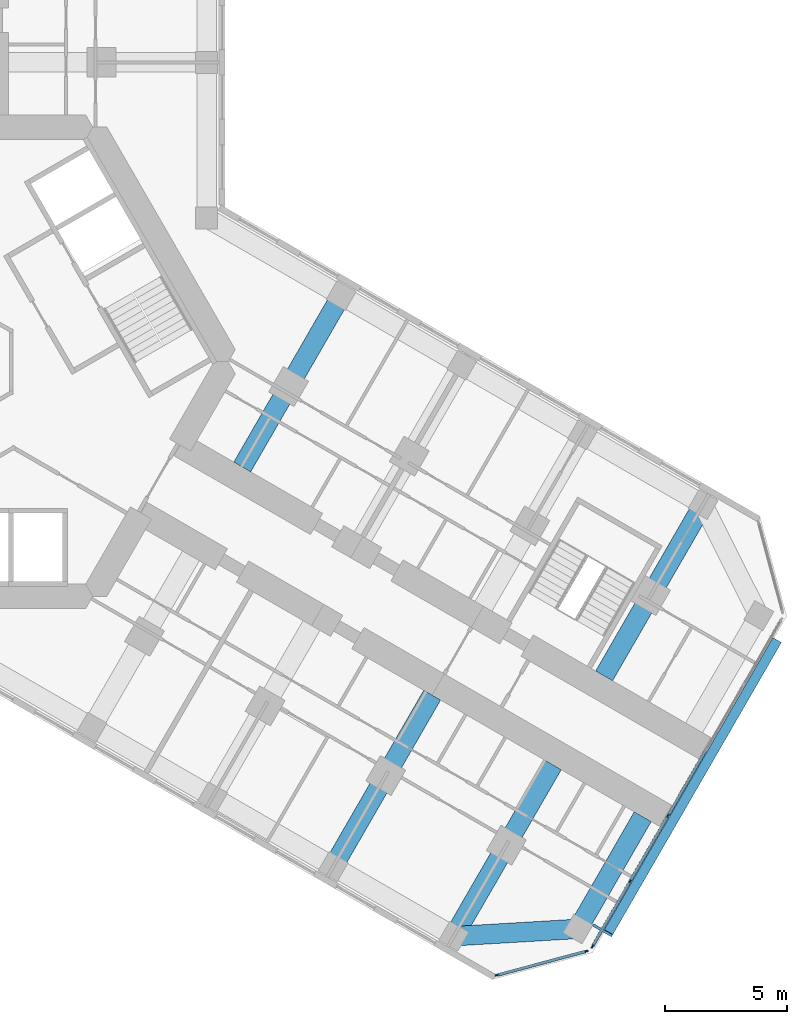
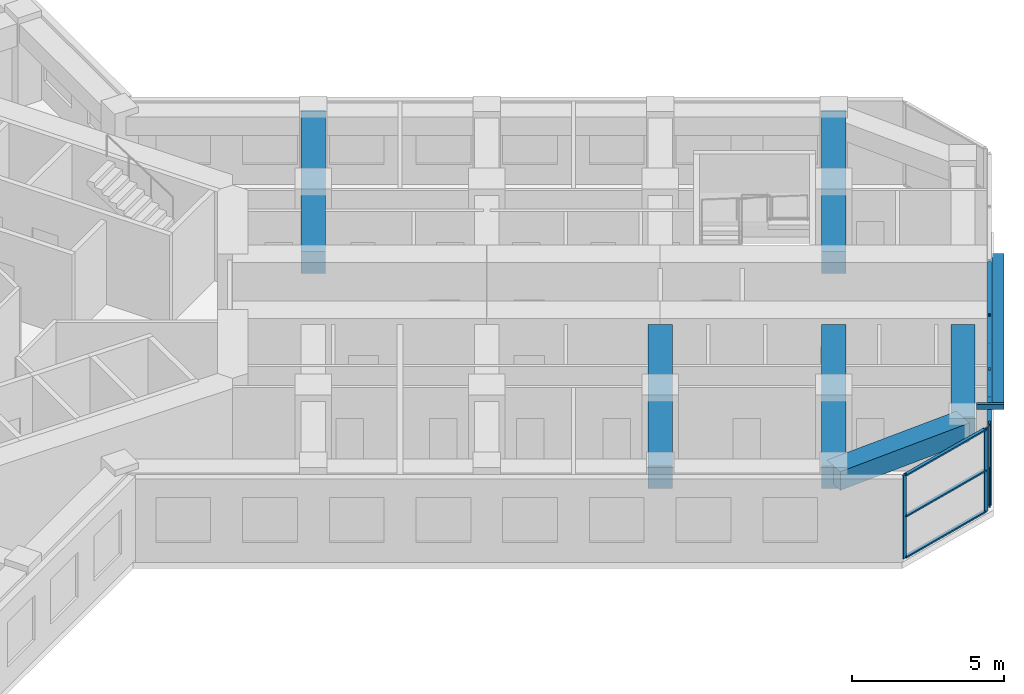
# One storey, part 5 of 21: 16 members, 6 beams, 2 elements without a shape of their own.
"""IFC4 building model written with IfcOpenShell, lengths in metres."""

from ifc_helpers import new_model, si_unit, direction, frame, origin, origin_2d, place, context, subcontext, project, spatial, rectangle, hollow_rectangle, extrude, material, material_profile, profile_set, type_object, element, aggregate, save


model = new_model("IFC4")

# Units and contexts
model_context = context("Model", 3, precision=1e-05, world=origin(), true_north=direction((0.0, 1.0)))
body_context = subcontext(model_context, "Body", "Model", "MODEL_VIEW")
ifc_project = project(units=[si_unit("LENGTHUNIT", "METRE"), si_unit("AREAUNIT", "SQUARE_METRE"), si_unit("VOLUMEUNIT", "CUBIC_METRE"), si_unit("PLANEANGLEUNIT", "RADIAN"), si_unit("MASSUNIT", "GRAM", prefix="KILO")], contexts=[model_context])

# Site, building, storey
site_placement = place(None, origin())
site = spatial("IfcSite", under=ifc_project, at=site_placement, CompositionType="ELEMENT")
building_placement = place(site_placement, origin())
building = spatial("IfcBuilding", under=site, at=building_placement, Name="Kosmar Iwan School Tower", CompositionType="ELEMENT")
storey_placement = place(building_placement, frame((0.0, 0.0, 88.0)))
storey = spatial("IfcBuildingStorey", under=building, at=storey_placement, Name="L21", CompositionType="ELEMENT", Elevation=88.0)

# Members
ifc_material_1 = material(Name="Black anodised aluminium", Category="aluminium")
ifc_material_profile_1 = material_profile(ifc_material_1, rectangle(XDim=0.10009765625, YDim=0.39990234375, at=origin_2d()), Name="FIN 100x400")
ifc_profile_set_1 = profile_set([ifc_material_profile_1], Name="Black anodised aluminium")
member_type_1 = type_object("IfcMemberType", Name="Diagonal fin 100x400", PredefinedType="USERDEFINED", material=ifc_profile_set_1)
member_1_placement = place(storey_placement, frame((33.54345703125, -11.40087890625, -0.14990234375), z_axis=(-0.483795538458, -0.837973939202, 0.252470897702), x_axis=(0.126233699175, 0.218647221293, 0.967604488318)))
element("IfcMember", 1, at=member_1_placement, inside=storey, type_object=member_type_1, Name="Diagonal fin L21-F03", ObjectType="FIN", PredefinedType="USERDEFINED", context=body_context, shape_type="SweptSolid", body=[
    extrude(rectangle(XDim=0.10009765625, YDim=0.39990234375, at=origin_2d()), origin(), (0.0, 0.0, 1.0), 14.258544921875),
])
ifc_material_2 = material(Name="Steel S355", Category="steel")
ifc_material_profile_2 = material_profile(ifc_material_2, hollow_rectangle(XDim=0.10009765625, YDim=0.199951171875, WallThickness=0.008056640625, at=origin_2d()), Name="RHS 200x100x8")
ifc_profile_set_2 = profile_set([ifc_material_profile_2], Name="Steel S355")
member_type_2 = type_object("IfcMemberType", Name="Fin bracket RHS 200x100", PredefinedType="USERDEFINED", material=ifc_profile_set_2)
member_2_placement = place(storey_placement, frame((26.01318359375, -23.0439453125, 3.47509765625), z_axis=(0.866013897511, -0.50001992892, 0.0), x_axis=(0.50001992892, 0.866013897511, 0.0)))
element("IfcMember", 2, at=member_2_placement, inside=storey, type_object=member_type_2, Name="Fin bracket L22", ObjectType="FIN BRACKET", PredefinedType="USERDEFINED", context=body_context, shape_type="SweptSolid", body=[
    extrude(hollow_rectangle(XDim=0.10009765625, YDim=0.199951171875, WallThickness=0.008056640625, at=origin_2d()), origin(), (0.0, 0.0, 1.0), 0.89990234375),
])

# Curtain wall, members
ifc_material_3 = material(Name="Dark glass in black aluminium frame", Category="aluminium")
curtain_wall_type_1 = type_object("IfcCurtainWallType", Name="Chamfer curtain wall dark glass", PredefinedType="USERDEFINED", material=ifc_material_3)
curtain_wall_1_placement = place(storey_placement, origin())
curtain_wall_1 = element("IfcCurtainWall", 3, at=curtain_wall_1_placement, inside=storey, type_object=curtain_wall_type_1, Name="Curtain wall L21-F02", ObjectType="FACETED CURTAIN WALL", PredefinedType="USERDEFINED")
ifc_material_4 = material(Name="Black anodised aluminium", Category="aluminium")
ifc_material_profile_3 = material_profile(ifc_material_4, rectangle(XDim=0.06005859375, YDim=0.159912109375, at=origin_2d()), Name="MULLION 60x160")
ifc_profile_set_3 = profile_set([ifc_material_profile_3], Name="Black anodised aluminium")
member_type_3 = type_object("IfcMemberType", Name="Mullion 60x160", PredefinedType="MULLION", material=ifc_profile_set_3)
member_3_placement = place(storey_placement, frame((22.0830078125, -25.102294921875, 0.0), z_axis=(0.0, 0.0, 1.0), x_axis=(-0.258818861462, 0.965925875495, 0.0)))
member_3 = element("IfcMember", 4, at=member_3_placement, type_object=member_type_3, Name="CW2 mullion 1", PredefinedType="MULLION", context=body_context, shape_type="SweptSolid", body=[
    extrude(rectangle(XDim=0.06005859375, YDim=0.159912109375, at=origin_2d()), origin(), (0.0, 0.0, 1.0), 3.35009765625),
])
member_4_placement = place(storey_placement, frame((25.733154296875, -24.124267578125, 0.0), z_axis=(0.0, 0.0, 1.0), x_axis=(-0.258818861462, 0.965925875495, 0.0)))
member_4 = element("IfcMember", 5, at=member_4_placement, type_object=member_type_3, Name="CW2 mullion 2", PredefinedType="MULLION", context=body_context, shape_type="SweptSolid", body=[
    extrude(rectangle(XDim=0.06005859375, YDim=0.159912109375, at=origin_2d()), origin(), (0.0, 0.0, 1.0), 3.35009765625),
])

ifc_material_5 = material(Name="Dark glass in black aluminium frame", Category="aluminium")
curtain_wall_type_2 = type_object("IfcCurtainWallType", Name="Tower curtain wall dark glass", PredefinedType="USERDEFINED", material=ifc_material_5)
curtain_wall_2_placement = place(storey_placement, origin())
curtain_wall_2 = element("IfcCurtainWall", 6, at=curtain_wall_2_placement, inside=storey, type_object=curtain_wall_type_2, Name="Curtain wall L21-F03", ObjectType="UNITISED CURTAIN WALL", PredefinedType="USERDEFINED")
member_5_placement = place(storey_placement, frame((25.9970703125, -23.921630859375, 0.0), z_axis=(0.0, 0.0, 1.0), x_axis=(-0.866025405329, 0.499999997325, 0.0)))
member_5 = element("IfcMember", 7, at=member_5_placement, type_object=member_type_3, Name="CW1 mullion 1", PredefinedType="MULLION", context=body_context, shape_type="SweptSolid", body=[
    extrude(rectangle(XDim=0.06005859375, YDim=0.159912109375, at=origin_2d()), origin(), (0.0, 0.0, 1.0), 3.35009765625),
])
member_6_placement = place(storey_placement, frame((27.53173828125, -21.263671875, 0.0), z_axis=(0.0, 0.0, 1.0), x_axis=(-0.866025405329, 0.499999997325, 0.0)))
member_6 = element("IfcMember", 8, at=member_6_placement, type_object=member_type_3, Name="CW1 mullion 2", PredefinedType="MULLION", context=body_context, shape_type="SweptSolid", body=[
    extrude(rectangle(XDim=0.06005859375, YDim=0.159912109375, at=origin_2d()), origin(), (0.0, 0.0, 1.0), 3.35009765625),
])
member_7_placement = place(storey_placement, frame((29.081298828125, -18.57958984375, 0.0), z_axis=(0.0, 0.0, 1.0), x_axis=(-0.866025405329, 0.499999997325, 0.0)))
member_7 = element("IfcMember", 9, at=member_7_placement, type_object=member_type_3, Name="CW1 mullion 3", PredefinedType="MULLION", context=body_context, shape_type="SweptSolid", body=[
    extrude(rectangle(XDim=0.06005859375, YDim=0.159912109375, at=origin_2d()), origin(), (0.0, 0.0, 1.0), 3.35009765625),
])

# Beams
ifc_material_6 = material(Name="Concrete C50/60", Category="concrete")
ifc_material_profile_4 = material_profile(ifc_material_6, rectangle(XDim=0.800048828125, YDim=0.75, at=origin_2d()), Name="RC 800x750")
ifc_profile_set_4 = profile_set([ifc_material_profile_4], Name="Concrete C50/60")
beam_type_1 = type_object("IfcBeamType", Name="RC tip beam 800x750", PredefinedType="BEAM", material=ifc_profile_set_4)
beam_1_placement = place(storey_placement, frame((20.31787109375, -23.508544921875, 2.97509765625), z_axis=(0.998260616478, 0.058955420358, 0.0), x_axis=(-0.058955420358, 0.998260616478, 0.0)))
element("IfcBeam", 10, at=beam_1_placement, inside=storey, type_object=beam_type_1, Name="Tip beam CR", PredefinedType="BEAM", context=body_context, shape_type="SweptSolid", body=[
    extrude(rectangle(XDim=0.800048828125, YDim=0.75, at=origin_2d()), origin(), (0.0, 0.0, 1.0), 5.08935546875),
])
beam_2_placement = place(storey_placement, frame((25.3984375, -23.20849609375, 2.97509765625), z_axis=(0.499993606316, 0.866029095148, 0.0), x_axis=(-0.866029095148, 0.499993606316, 0.0)))
element("IfcBeam", 11, at=beam_2_placement, inside=storey, type_object=beam_type_1, Name="Tip beam CR to corridor wall", PredefinedType="BEAM", context=body_context, shape_type="SweptSolid", body=[
    extrude(rectangle(XDim=0.800048828125, YDim=0.75, at=origin_2d()), origin(), (0.0, 0.0, 1.0), 5.2998046875),
])
ifc_material_7 = material(Name="Concrete C50/60", Category="concrete")
ifc_material_profile_5 = material_profile(ifc_material_7, rectangle(XDim=0.800048828125, YDim=0.89990234375, at=origin_2d()), Name="RC 800x900")
ifc_profile_set_5 = profile_set([ifc_material_profile_5], Name="Concrete C50/60")
beam_type_2 = type_object("IfcBeamType", Name="RC transverse beam 800x900", PredefinedType="BEAM", material=ifc_profile_set_5)
for number, where, z_axis, x_axis, name in (
    (12, (15.708740234375, 2.70849609375, 2.89990234375), (-0.499999880539, -0.866025472755, 0.0), (0.866025472755, -0.499999880539, 0.0), "Transverse beam CL1"),
    (13, (30.517822265625, -5.841552734375, 2.89990234375), (-0.499999880539, -0.866025472755, 0.0), (0.866025472755, -0.499999880539, 0.0), "Transverse beam CL4"),
    (14, (15.381591796875, -20.658447265625, 2.89990234375), (0.499977274689, 0.866038523851, 0.0), (-0.866038523851, 0.499977274689, 0.0), "Transverse beam CR3"),
    (15, (20.31787109375, -23.508544921875, 2.89990234375), (0.499999880539, 0.866025472755, 0.0), (-0.866025472755, 0.499999880539, 0.0), "Transverse beam CR4"),
):
    element("IfcBeam", number, at=place(storey_placement, frame(where, z_axis=z_axis, x_axis=x_axis)), inside=storey, type_object=beam_type_2, Name=name, PredefinedType="BEAM", context=body_context, shape_type="SweptSolid", body=[
        extrude(rectangle(XDim=0.800048828125, YDim=0.89990234375, at=origin_2d()), origin(), (0.0, 0.0, 1.0), 8.10009765625),
    ])

# Member
ifc_material_8 = material(Name="Black anodised aluminium", Category="aluminium")
ifc_material_profile_6 = material_profile(ifc_material_8, rectangle(XDim=0.1201171875, YDim=0.06005859375, at=origin_2d()), Name="TRANSOM 60x120")
ifc_profile_set_6 = profile_set([ifc_material_profile_6], Name="Black anodised aluminium")
member_type_4 = type_object("IfcMemberType", Name="Transom 60x120", PredefinedType="USERDEFINED", material=ifc_profile_set_6)
member_8_placement = place(storey_placement, frame((22.11181640625, -25.094482421875, 0.030029296875), z_axis=(0.965923731726, 0.258826861991, 0.0), x_axis=(-0.258826861991, 0.965923731726, 0.0)))
member_8 = element("IfcMember", 16, at=member_8_placement, type_object=member_type_4, Name="CW2 transom 1.1", ObjectType="TRANSOM", PredefinedType="USERDEFINED", context=body_context, shape_type="SweptSolid", body=[
    extrude(rectangle(XDim=0.1201171875, YDim=0.06005859375, at=origin_2d()), origin(), (0.0, 0.0, 1.0), 3.71923828125),
])

member_9_placement = place(storey_placement, frame((22.11181640625, -25.094482421875, 1.675048828125), z_axis=(0.965923731726, 0.258826861991, 0.0), x_axis=(-0.258826861991, 0.965923731726, 0.0)))
member_9 = element("IfcMember", 17, at=member_9_placement, type_object=member_type_4, Name="CW2 transom 1.2", ObjectType="TRANSOM", PredefinedType="USERDEFINED", context=body_context, shape_type="SweptSolid", body=[
    extrude(rectangle(XDim=0.1201171875, YDim=0.06005859375, at=origin_2d()), origin(), (0.0, 0.0, 1.0), 3.71923828125),
])

member_10_placement = place(storey_placement, frame((22.11181640625, -25.094482421875, 3.320068359375), z_axis=(0.965923731726, 0.258826861991, 0.0), x_axis=(-0.258826861991, 0.965923731726, 0.0)))
member_10 = element("IfcMember", 18, at=member_10_placement, type_object=member_type_4, Name="CW2 transom 1.3", ObjectType="TRANSOM", PredefinedType="USERDEFINED", context=body_context, shape_type="SweptSolid", body=[
    extrude(rectangle(XDim=0.1201171875, YDim=0.06005859375, at=origin_2d()), origin(), (0.0, 0.0, 1.0), 3.71923828125),
])

aggregate(curtain_wall_1, [member_3, member_4, member_8, member_9, member_10])

member_11_placement = place(storey_placement, frame((26.01220703125, -23.895751953125, 0.030029296875), z_axis=(0.499986971506, 0.866032925658, 0.0), x_axis=(-0.866032925658, 0.499986971506, 0.0)))
member_11 = element("IfcMember", 19, at=member_11_placement, type_object=member_type_4, Name="CW1 transom 1.1", ObjectType="TRANSOM", PredefinedType="USERDEFINED", context=body_context, shape_type="SweptSolid", body=[
    extrude(rectangle(XDim=0.1201171875, YDim=0.06005859375, at=origin_2d()), origin(), (0.0, 0.0, 1.0), 3.00927734375),
])

member_12_placement = place(storey_placement, frame((26.01220703125, -23.895751953125, 3.320068359375), z_axis=(0.499986971506, 0.866032925658, 0.0), x_axis=(-0.866032925658, 0.499986971506, 0.0)))
member_12 = element("IfcMember", 20, at=member_12_placement, type_object=member_type_4, Name="CW1 transom 1.2", ObjectType="TRANSOM", PredefinedType="USERDEFINED", context=body_context, shape_type="SweptSolid", body=[
    extrude(rectangle(XDim=0.1201171875, YDim=0.06005859375, at=origin_2d()), origin(), (0.0, 0.0, 1.0), 3.00927734375),
])

member_13_placement = place(storey_placement, frame((27.546875, -21.237548828125, 0.030029296875), z_axis=(0.499975102327, 0.866039777986, 0.0), x_axis=(-0.866039777986, 0.499975102327, 0.0)))
member_13 = element("IfcMember", 21, at=member_13_placement, type_object=member_type_4, Name="CW1 transom 2.1", ObjectType="TRANSOM", PredefinedType="USERDEFINED", context=body_context, shape_type="SweptSolid", body=[
    extrude(rectangle(XDim=0.1201171875, YDim=0.06005859375, at=origin_2d()), origin(), (0.0, 0.0, 1.0), 3.039306640625),
])

member_14_placement = place(storey_placement, frame((27.546875, -21.237548828125, 3.320068359375), z_axis=(0.499975102327, 0.866039777986, 0.0), x_axis=(-0.866039777986, 0.499975102327, 0.0)))
member_14 = element("IfcMember", 22, at=member_14_placement, type_object=member_type_4, Name="CW1 transom 2.2", ObjectType="TRANSOM", PredefinedType="USERDEFINED", context=body_context, shape_type="SweptSolid", body=[
    extrude(rectangle(XDim=0.1201171875, YDim=0.06005859375, at=origin_2d()), origin(), (0.0, 0.0, 1.0), 3.039306640625),
])

member_15_placement = place(storey_placement, frame((29.096435546875, -18.553466796875, 0.030029296875), z_axis=(0.499975102327, 0.866039777986, 0.0), x_axis=(-0.866039777986, 0.499975102327, 0.0)))
member_15 = element("IfcMember", 23, at=member_15_placement, type_object=member_type_4, Name="CW1 transom 3.1", ObjectType="TRANSOM", PredefinedType="USERDEFINED", context=body_context, shape_type="SweptSolid", body=[
    extrude(rectangle(XDim=0.1201171875, YDim=0.06005859375, at=origin_2d()), origin(), (0.0, 0.0, 1.0), 3.039306640625),
])

member_16_placement = place(storey_placement, frame((29.096435546875, -18.553466796875, 3.320068359375), z_axis=(0.499975102327, 0.866039777986, 0.0), x_axis=(-0.866039777986, 0.499975102327, 0.0)))
member_16 = element("IfcMember", 24, at=member_16_placement, type_object=member_type_4, Name="CW1 transom 3.2", ObjectType="TRANSOM", PredefinedType="USERDEFINED", context=body_context, shape_type="SweptSolid", body=[
    extrude(rectangle(XDim=0.1201171875, YDim=0.06005859375, at=origin_2d()), origin(), (0.0, 0.0, 1.0), 3.039306640625),
])

aggregate(curtain_wall_2, [member_5, member_6, member_7, member_11, member_12, member_13, member_14, member_15, member_16])

save(model, "model.ifc")
